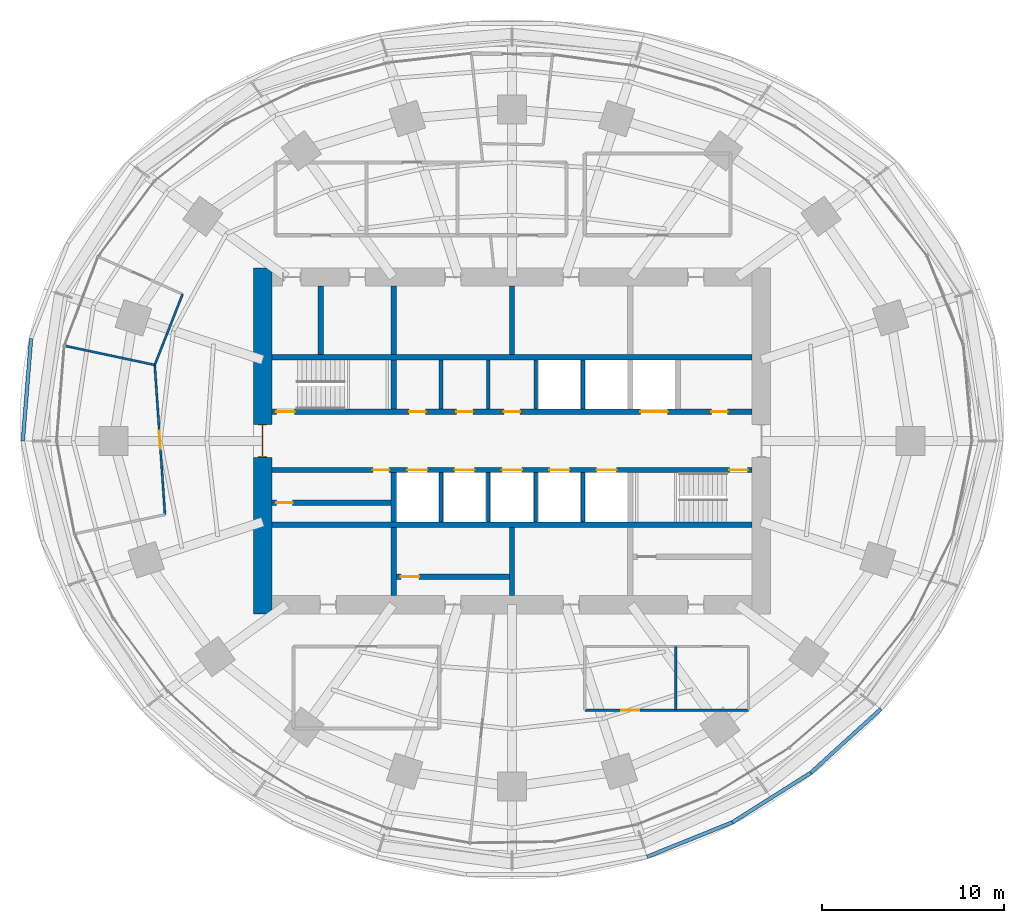
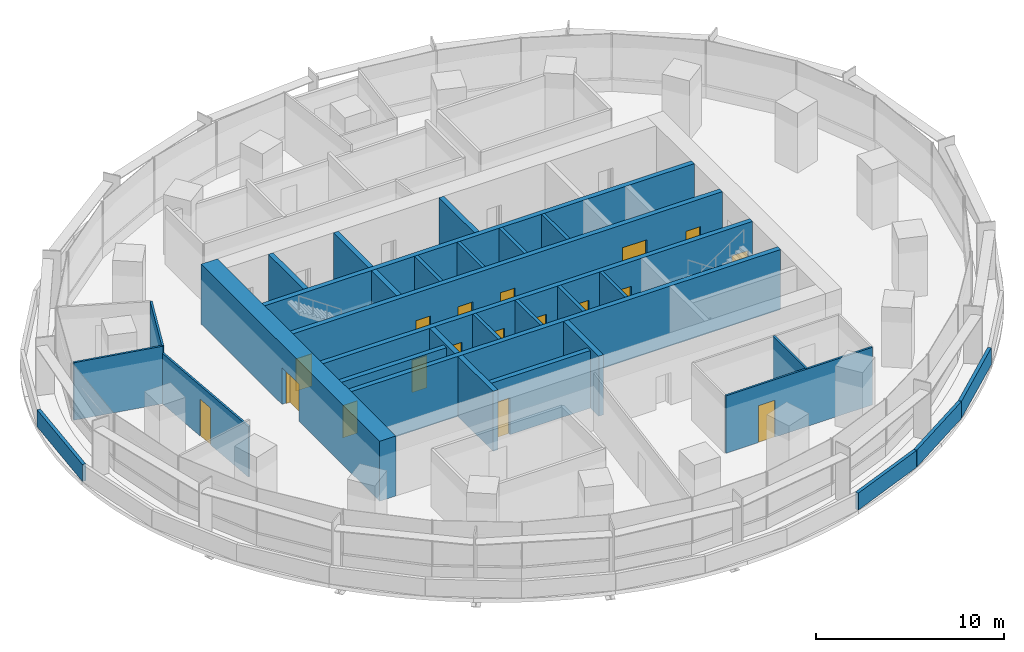
# One storey, part 11 of 15: 31 walls, 18 doors, 18 openings.
"""IFC4 building model written with IfcOpenShell, lengths in metres."""

from ifc_helpers import new_model, si_unit, direction, frame, frame_2d, origin, place, context, subcontext, project, spatial, rectangle, extrude, material, layer, layer_set, type_object, element, fill, save


model = new_model("IFC4")

# Units and contexts
model_context = context("Model", 3, precision=1e-05, world=origin(), true_north=direction((0.0, 1.0)))
body_context = subcontext(model_context, "Body", "Model", "MODEL_VIEW")
ifc_project = project(units=[si_unit("LENGTHUNIT", "METRE"), si_unit("AREAUNIT", "SQUARE_METRE"), si_unit("VOLUMEUNIT", "CUBIC_METRE"), si_unit("PLANEANGLEUNIT", "RADIAN"), si_unit("MASSUNIT", "GRAM", prefix="KILO")], contexts=[model_context])

# Site, building, storey
site_placement = place(None, origin())
site = spatial("IfcSite", under=ifc_project, at=site_placement, CompositionType="ELEMENT")
building_placement = place(site_placement, origin())
building = spatial("IfcBuilding", under=site, at=building_placement, Name="Marramba Exchange Tower", CompositionType="ELEMENT")
storey_placement = place(building_placement, frame((0.0, 0.0, 92.39990234375)))
storey = spatial("IfcBuildingStorey", under=building, at=storey_placement, Name="L21", CompositionType="ELEMENT", Elevation=92.39990234375)

# Walls
ifc_material_1 = material(Name="Concrete N50", Category="concrete")
ifc_layer_1 = layer(ifc_material_1, 0.199951171875)
ifc_layer_set_1 = layer_set([ifc_layer_1], Name="Core shaft wall 200")
wall_type_1 = type_object("IfcWallType", Name="Core shaft wall 200", PredefinedType="SHEAR", material=ifc_layer_set_1)
for number, where, z_axis, x_axis, name in (
    (1, (-3.89990234375, 1.75, 0.0), (0.0, 0.0, 1.0), (0.0, 1.0, 0.0), "Core wall SHN1 L21"),
    (2, (-1.300048828125, 1.75, 0.0), (0.0, 0.0, 1.0), (0.0, 1.0, 0.0), "Core wall SHN2 L21"),
    (3, (1.300048828125, 1.75, 0.0), (0.0, 0.0, 1.0), (0.0, 1.0, 0.0), "Core wall SHN3 L21"),
    (4, (3.89990234375, 1.75, 0.0), (0.0, 0.0, 1.0), (0.0, 1.0, 0.0), "Core wall SHN4 L21"),
    (5, (-3.89990234375, -1.75, 0.0), (0.0, 0.0, 1.0), (0.0, -1.0, 0.0), "Core wall SHS1 L21"),
    (6, (-1.300048828125, -1.75, 0.0), (0.0, 0.0, 1.0), (0.0, -1.0, 0.0), "Core wall SHS2 L21"),
    (7, (1.300048828125, -1.75, 0.0), (0.0, 0.0, 1.0), (0.0, -1.0, 0.0), "Core wall SHS3 L21"),
    (8, (3.89990234375, -1.75, 0.0), (0.0, 0.0, 1.0), (0.0, -1.0, 0.0), "Core wall SHS4 L21"),
):
    element("IfcWall", number, at=place(storey_placement, frame(where, z_axis=z_axis, x_axis=x_axis)), inside=storey, type_object=wall_type_1, Name=name, PredefinedType="SHEAR", context=body_context, shape_type="SweptSolid", body=[
        extrude(rectangle(XDim=2.699951171875, YDim=0.199951171875, at=frame_2d((1.35009765625, 0.0))), origin(), (0.0, 0.0, 1.0), 3.900146484375),
    ])

# Wall, opening, door
ifc_layer_2 = layer(ifc_material_1, 1.0)
ifc_layer_set_2 = layer_set([ifc_layer_2], Name="Core wall 1000")
wall_type_2 = type_object("IfcWallType", Name="Core wall 1000", PredefinedType="SHEAR", material=ifc_layer_set_2)
wall_1_placement = place(storey_placement, frame((-13.699951171875, 9.5, 0.0), z_axis=(0.0, 0.0, 1.0), x_axis=(0.0, -1.0, 0.0)))
wall_1 = element("IfcWall", 9, at=wall_1_placement, inside=storey, type_object=wall_type_2, Name="Core wall W L21", PredefinedType="SHEAR", context=body_context, shape_type="SweptSolid", body=[
    extrude(rectangle(XDim=19.0, YDim=1.0, at=frame_2d((9.5, 0.0))), origin(), (0.0, 0.0, 1.0), 3.900146484375),
])
opening_1_placement = place(wall_1_placement, frame((8.60009765625, 0.0, 0.0)))
opening_1 = element("IfcOpeningElement", 10, at=opening_1_placement, cuts=wall_1, Name="Opening D1", PredefinedType="OPENING", context=body_context, shape_type="SweptSolid", body=[
    extrude(rectangle(XDim=1.800048828125, YDim=2.39990234375, at=frame_2d((0.89990234375, 1.199951171875))), frame((0.0, 0.510009765625, 0.0), z_axis=(0.0, -1.0, 0.0), x_axis=(1.0, 0.0, 0.0)), (0.0, 0.0, 1.0), 1.02001953125),
])
ifc_material_2 = material(Name="Steel-framed door", Category="steel")
door_type_1 = type_object("IfcDoorType", Name="Lobby exit door 1800x2400", OperationType="DOUBLE_DOOR_SINGLE_SWING", PredefinedType="DOOR", material=ifc_material_2)
door_1_placement = place(opening_1_placement, origin())
door_1 = element("IfcDoor", 11, at=door_1_placement, inside=storey, type_object=door_type_1, Name="D1 lobby exit west L21", OperationType="DOUBLE_DOOR_SINGLE_SWING", OverallHeight=2.39990234375, OverallWidth=1.800048828125, PredefinedType="DOOR", context=body_context, shape_type="SweptSolid", body=[
    extrude(rectangle(XDim=1.719970703125, YDim=2.35986328125, at=frame_2d((0.89990234375, 1.179931640625))), frame((0.0, 0.02490234375, 0.0), z_axis=(0.0, -1.0, 0.0), x_axis=(1.0, 0.0, 0.0)), (0.0, 0.0, 1.0), 0.050048828125),
    extrude(rectangle(XDim=0.04, YDim=2.39990234375, at=frame_2d((0.02001953125, 1.199951171875))), frame((0.0, 0.25, 0.0), z_axis=(0.0, -1.0, 0.0), x_axis=(1.0, 0.0, 0.0)), (0.0, 0.0, 1.0), 0.5),
    extrude(rectangle(XDim=0.04, YDim=2.39990234375, at=frame_2d((1.780029296875, 1.199951171875))), frame((0.0, 0.25, 0.0), z_axis=(0.0, -1.0, 0.0), x_axis=(1.0, 0.0, 0.0)), (0.0, 0.0, 1.0), 0.5),
    extrude(rectangle(XDim=1.719970703125, YDim=0.04, at=frame_2d((0.89990234375, 2.3798828125))), frame((0.0, 0.25, 0.0), z_axis=(0.0, -1.0, 0.0), x_axis=(1.0, 0.0, 0.0)), (0.0, 0.0, 1.0), 0.5),
])
fill(opening_1, door_1)

# Wall, openings, doors
ifc_layer_3 = layer(ifc_material_1, 0.300048828125)
ifc_layer_set_3 = layer_set([ifc_layer_3], Name="Core wall 300")
wall_type_3 = type_object("IfcWallType", Name="Core wall 300", PredefinedType="SHEAR", material=ifc_layer_set_3)
wall_2_placement = place(storey_placement, frame((-13.199951171875, 1.60009765625, 0.0), z_axis=(0.0, 0.0, 1.0), x_axis=(1.0, 0.0, 0.0)))
wall_2 = element("IfcWall", 12, at=wall_2_placement, inside=storey, type_object=wall_type_3, Name="Core wall LN L21", PredefinedType="SHEAR", context=body_context, shape_type="SweptSolid", body=[
    extrude(rectangle(XDim=26.39990234375, YDim=0.300048828125, at=frame_2d((13.199951171875, 0.0))), origin(), (0.0, 0.0, 1.0), 3.900146484375),
])
opening_2_placement = place(wall_2_placement, frame((0.25, 0.0, 0.0)))
opening_2 = element("IfcOpeningElement", 13, at=opening_2_placement, cuts=wall_2, Name="Opening D2", PredefinedType="OPENING", context=body_context, shape_type="SweptSolid", body=[
    extrude(rectangle(XDim=1.0, YDim=2.10009765625, at=frame_2d((0.5, 1.050048828125))), frame((0.0, 0.159912109375, 0.0), z_axis=(0.0, -1.0, 0.0), x_axis=(1.0, 0.0, 0.0)), (0.0, 0.0, 1.0), 0.320068359375),
])
opening_3_placement = place(wall_2_placement, frame((20.25, 0.0, 0.0)))
opening_3 = element("IfcOpeningElement", 14, at=opening_3_placement, cuts=wall_2, Name="Opening LD3", PredefinedType="OPENING", context=body_context, shape_type="SweptSolid", body=[
    extrude(rectangle(XDim=1.5, YDim=2.39990234375, at=frame_2d((0.75, 1.199951171875))), frame((0.0, 0.159912109375, 0.0), z_axis=(0.0, -1.0, 0.0), x_axis=(1.0, 0.0, 0.0)), (0.0, 0.0, 1.0), 0.320068359375),
])
opening_4_placement = place(wall_2_placement, frame((7.550048828125, 0.0, 0.0)))
opening_4 = element("IfcOpeningElement", 15, at=opening_4_placement, cuts=wall_2, Name="Opening D5", PredefinedType="OPENING", context=body_context, shape_type="SweptSolid", body=[
    extrude(rectangle(XDim=0.89990234375, YDim=2.10009765625, at=frame_2d((0.449951171875, 1.050048828125))), frame((0.0, 0.159912109375, 0.0), z_axis=(0.0, -1.0, 0.0), x_axis=(1.0, 0.0, 0.0)), (0.0, 0.0, 1.0), 0.320068359375),
])
opening_5_placement = place(wall_2_placement, frame((10.14990234375, 0.0, 0.0)))
opening_5 = element("IfcOpeningElement", 16, at=opening_5_placement, cuts=wall_2, Name="Opening D5", PredefinedType="OPENING", context=body_context, shape_type="SweptSolid", body=[
    extrude(rectangle(XDim=0.89990234375, YDim=2.10009765625, at=frame_2d((0.449951171875, 1.050048828125))), frame((0.0, 0.159912109375, 0.0), z_axis=(0.0, -1.0, 0.0), x_axis=(1.0, 0.0, 0.0)), (0.0, 0.0, 1.0), 0.320068359375),
])
opening_6_placement = place(wall_2_placement, frame((12.75, 0.0, 0.0)))
opening_6 = element("IfcOpeningElement", 17, at=opening_6_placement, cuts=wall_2, Name="Opening D5", PredefinedType="OPENING", context=body_context, shape_type="SweptSolid", body=[
    extrude(rectangle(XDim=0.89990234375, YDim=2.10009765625, at=frame_2d((0.449951171875, 1.050048828125))), frame((0.0, 0.159912109375, 0.0), z_axis=(0.0, -1.0, 0.0), x_axis=(1.0, 0.0, 0.0)), (0.0, 0.0, 1.0), 0.320068359375),
])
opening_7_placement = place(wall_2_placement, frame((24.14990234375, 0.0, 0.0)))
opening_7 = element("IfcOpeningElement", 18, at=opening_7_placement, cuts=wall_2, Name="Opening D5", PredefinedType="OPENING", context=body_context, shape_type="SweptSolid", body=[
    extrude(rectangle(XDim=0.89990234375, YDim=2.10009765625, at=frame_2d((0.449951171875, 1.050048828125))), frame((0.0, 0.159912109375, 0.0), z_axis=(0.0, -1.0, 0.0), x_axis=(1.0, 0.0, 0.0)), (0.0, 0.0, 1.0), 0.320068359375),
])
door_type_2 = type_object("IfcDoorType", Name="Goods lift landing door 1500x2400", OperationType="SLIDING_TO_LEFT", PredefinedType="DOOR", material=ifc_material_2)
door_2_placement = place(opening_3_placement, origin())
door_2 = element("IfcDoor", 19, at=door_2_placement, inside=storey, type_object=door_type_2, Name="GL1 landing door L21", OperationType="SLIDING_TO_LEFT", OverallHeight=2.39990234375, OverallWidth=1.5, PredefinedType="DOOR", context=body_context, shape_type="SweptSolid", body=[
    extrude(rectangle(XDim=1.5, YDim=2.39990234375, at=frame_2d((0.75, 1.199951171875))), frame((0.0, 0.02490234375, 0.0), z_axis=(0.0, -1.0, 0.0), x_axis=(1.0, 0.0, 0.0)), (0.0, 0.0, 1.0), 0.050048828125),
])
fill(opening_3, door_2)
door_type_3 = type_object("IfcDoorType", Name="Service door 900x2100", OperationType="SINGLE_SWING_LEFT", PredefinedType="DOOR", material=ifc_material_2)
door_3_placement = place(opening_4_placement, origin())
door_3 = element("IfcDoor", 20, at=door_3_placement, inside=storey, type_object=door_type_3, Name="D5 switch room L21", OperationType="SINGLE_SWING_RIGHT", OverallHeight=2.10009765625, OverallWidth=0.89990234375, PredefinedType="DOOR", context=body_context, shape_type="SweptSolid", body=[
    extrude(rectangle(XDim=0.89990234375, YDim=2.10009765625, at=frame_2d((0.449951171875, 1.050048828125))), frame((0.0, 0.02490234375, 0.0), z_axis=(0.0, -1.0, 0.0), x_axis=(1.0, 0.0, 0.0)), (0.0, 0.0, 1.0), 0.050048828125),
])
fill(opening_4, door_3)
door_4_placement = place(opening_5_placement, origin())
door_4 = element("IfcDoor", 21, at=door_4_placement, inside=storey, type_object=door_type_3, Name="D5 cleaner store L21", OperationType="SINGLE_SWING_RIGHT", OverallHeight=2.10009765625, OverallWidth=0.89990234375, PredefinedType="DOOR", context=body_context, shape_type="SweptSolid", body=[
    extrude(rectangle(XDim=0.89990234375, YDim=2.10009765625, at=frame_2d((0.449951171875, 1.050048828125))), frame((0.0, 0.02490234375, 0.0), z_axis=(0.0, -1.0, 0.0), x_axis=(1.0, 0.0, 0.0)), (0.0, 0.0, 1.0), 0.050048828125),
])
fill(opening_5, door_4)
door_5_placement = place(opening_6_placement, origin())
door_5 = element("IfcDoor", 22, at=door_5_placement, inside=storey, type_object=door_type_3, Name="D5 general store L21", OperationType="SINGLE_SWING_RIGHT", OverallHeight=2.10009765625, OverallWidth=0.89990234375, PredefinedType="DOOR", context=body_context, shape_type="SweptSolid", body=[
    extrude(rectangle(XDim=0.89990234375, YDim=2.10009765625, at=frame_2d((0.449951171875, 1.050048828125))), frame((0.0, 0.02490234375, 0.0), z_axis=(0.0, -1.0, 0.0), x_axis=(1.0, 0.0, 0.0)), (0.0, 0.0, 1.0), 0.050048828125),
])
fill(opening_6, door_5)
door_6_placement = place(opening_7_placement, origin())
door_6 = element("IfcDoor", 23, at=door_6_placement, inside=storey, type_object=door_type_3, Name="D5 riser L21", OperationType="SINGLE_SWING_RIGHT", OverallHeight=2.10009765625, OverallWidth=0.89990234375, PredefinedType="DOOR", context=body_context, shape_type="SweptSolid", body=[
    extrude(rectangle(XDim=0.89990234375, YDim=2.10009765625, at=frame_2d((0.449951171875, 1.050048828125))), frame((0.0, 0.02490234375, 0.0), z_axis=(0.0, -1.0, 0.0), x_axis=(1.0, 0.0, 0.0)), (0.0, 0.0, 1.0), 0.050048828125),
])
fill(opening_7, door_6)
door_type_4 = type_object("IfcDoorType", Name="Stair door 1000x2100", OperationType="SINGLE_SWING_LEFT", PredefinedType="DOOR", material=ifc_material_2)
door_7_placement = place(opening_2_placement, origin())
door_7 = element("IfcDoor", 24, at=door_7_placement, inside=storey, type_object=door_type_4, Name="D2 stair ST1 L21", OperationType="SINGLE_SWING_LEFT", OverallHeight=2.10009765625, OverallWidth=1.0, PredefinedType="DOOR", context=body_context, shape_type="SweptSolid", body=[
    extrude(rectangle(XDim=1.0, YDim=2.10009765625, at=frame_2d((0.5, 1.050048828125))), frame((0.0, 0.02490234375, 0.0), z_axis=(0.0, -1.0, 0.0), x_axis=(1.0, 0.0, 0.0)), (0.0, 0.0, 1.0), 0.050048828125),
])
fill(opening_2, door_7)

wall_3_placement = place(storey_placement, frame((-13.199951171875, -1.60009765625, 0.0), z_axis=(0.0, 0.0, 1.0), x_axis=(1.0, 0.0, 0.0)))
wall_3 = element("IfcWall", 25, at=wall_3_placement, inside=storey, type_object=wall_type_3, Name="Core wall LS L21", PredefinedType="SHEAR", context=body_context, shape_type="SweptSolid", body=[
    extrude(rectangle(XDim=26.39990234375, YDim=0.300048828125, at=frame_2d((13.199951171875, 0.0))), origin(), (0.0, 0.0, 1.0), 3.900146484375),
])
opening_8_placement = place(wall_3_placement, frame((25.14990234375, 0.0, 0.0)))
opening_8 = element("IfcOpeningElement", 26, at=opening_8_placement, cuts=wall_3, Name="Opening D2", PredefinedType="OPENING", context=body_context, shape_type="SweptSolid", body=[
    extrude(rectangle(XDim=1.0, YDim=2.10009765625, at=frame_2d((0.5, 1.050048828125))), frame((0.0, 0.159912109375, 0.0), z_axis=(0.0, -1.0, 0.0), x_axis=(1.0, 0.0, 0.0)), (0.0, 0.0, 1.0), 0.320068359375),
])
opening_9_placement = place(wall_3_placement, frame((7.449951171875, 0.0, 0.0)))
opening_9 = element("IfcOpeningElement", 27, at=opening_9_placement, cuts=wall_3, Name="Opening LD1", PredefinedType="OPENING", context=body_context, shape_type="SweptSolid", body=[
    extrude(rectangle(XDim=1.10009765625, YDim=2.300048828125, at=frame_2d((0.550048828125, 1.14990234375))), frame((0.0, 0.159912109375, 0.0), z_axis=(0.0, -1.0, 0.0), x_axis=(1.0, 0.0, 0.0)), (0.0, 0.0, 1.0), 0.320068359375),
])
opening_10_placement = place(wall_3_placement, frame((10.050048828125, 0.0, 0.0)))
opening_10 = element("IfcOpeningElement", 28, at=opening_10_placement, cuts=wall_3, Name="Opening LD1", PredefinedType="OPENING", context=body_context, shape_type="SweptSolid", body=[
    extrude(rectangle(XDim=1.10009765625, YDim=2.300048828125, at=frame_2d((0.550048828125, 1.14990234375))), frame((0.0, 0.159912109375, 0.0), z_axis=(0.0, -1.0, 0.0), x_axis=(1.0, 0.0, 0.0)), (0.0, 0.0, 1.0), 0.320068359375),
])
opening_11_placement = place(wall_3_placement, frame((12.64990234375, 0.0, 0.0)))
opening_11 = element("IfcOpeningElement", 29, at=opening_11_placement, cuts=wall_3, Name="Opening LD1", PredefinedType="OPENING", context=body_context, shape_type="SweptSolid", body=[
    extrude(rectangle(XDim=1.10009765625, YDim=2.300048828125, at=frame_2d((0.550048828125, 1.14990234375))), frame((0.0, 0.159912109375, 0.0), z_axis=(0.0, -1.0, 0.0), x_axis=(1.0, 0.0, 0.0)), (0.0, 0.0, 1.0), 0.320068359375),
])
opening_12_placement = place(wall_3_placement, frame((15.25, 0.0, 0.0)))
opening_12 = element("IfcOpeningElement", 30, at=opening_12_placement, cuts=wall_3, Name="Opening LD2", PredefinedType="OPENING", context=body_context, shape_type="SweptSolid", body=[
    extrude(rectangle(XDim=1.10009765625, YDim=2.300048828125, at=frame_2d((0.550048828125, 1.14990234375))), frame((0.0, 0.159912109375, 0.0), z_axis=(0.0, -1.0, 0.0), x_axis=(1.0, 0.0, 0.0)), (0.0, 0.0, 1.0), 0.320068359375),
])
opening_13_placement = place(wall_3_placement, frame((17.85009765625, 0.0, 0.0)))
opening_13 = element("IfcOpeningElement", 31, at=opening_13_placement, cuts=wall_3, Name="Opening LD2", PredefinedType="OPENING", context=body_context, shape_type="SweptSolid", body=[
    extrude(rectangle(XDim=1.10009765625, YDim=2.300048828125, at=frame_2d((0.550048828125, 1.14990234375))), frame((0.0, 0.159912109375, 0.0), z_axis=(0.0, -1.0, 0.0), x_axis=(1.0, 0.0, 0.0)), (0.0, 0.0, 1.0), 0.320068359375),
])
opening_14_placement = place(wall_3_placement, frame((5.550048828125, 0.0, 0.0)))
opening_14 = element("IfcOpeningElement", 32, at=opening_14_placement, cuts=wall_3, Name="Opening D5", PredefinedType="OPENING", context=body_context, shape_type="SweptSolid", body=[
    extrude(rectangle(XDim=0.89990234375, YDim=2.10009765625, at=frame_2d((0.449951171875, 1.050048828125))), frame((0.0, 0.159912109375, 0.0), z_axis=(0.0, -1.0, 0.0), x_axis=(1.0, 0.0, 0.0)), (0.0, 0.0, 1.0), 0.320068359375),
])
door_type_5 = type_object("IfcDoorType", Name="Emergency lift landing door 1100x2300", OperationType="SLIDING_TO_LEFT", PredefinedType="DOOR", material=ifc_material_2)
door_8_placement = place(opening_12_placement, frame((1.10009765625, 0.0, 0.0), z_axis=(0.0, 0.0, 1.0), x_axis=(-1.0, 0.0, 0.0)))
door_8 = element("IfcDoor", 33, at=door_8_placement, inside=storey, type_object=door_type_5, Name="FL1 landing door L21", OperationType="SLIDING_TO_RIGHT", OverallHeight=2.300048828125, OverallWidth=1.10009765625, PredefinedType="DOOR", context=body_context, shape_type="SweptSolid", body=[
    extrude(rectangle(XDim=1.10009765625, YDim=2.300048828125, at=frame_2d((0.550048828125, 1.14990234375))), frame((0.0, 0.025146484375, 0.0), z_axis=(0.0, -1.0, 0.0), x_axis=(1.0, 0.0, 0.0)), (0.0, 0.0, 1.0), 0.050048828125),
])
fill(opening_12, door_8)
door_9_placement = place(opening_13_placement, frame((1.10009765625, 0.0, 0.0), z_axis=(0.0, 0.0, 1.0), x_axis=(-1.0, 0.0, 0.0)))
door_9 = element("IfcDoor", 34, at=door_9_placement, inside=storey, type_object=door_type_5, Name="FL2 landing door L21", OperationType="SLIDING_TO_LEFT", OverallHeight=2.300048828125, OverallWidth=1.10009765625, PredefinedType="DOOR", context=body_context, shape_type="SweptSolid", body=[
    extrude(rectangle(XDim=1.10009765625, YDim=2.300048828125, at=frame_2d((0.550048828125, 1.14990234375))), frame((0.0, 0.025146484375, 0.0), z_axis=(0.0, -1.0, 0.0), x_axis=(1.0, 0.0, 0.0)), (0.0, 0.0, 1.0), 0.050048828125),
])
fill(opening_13, door_9)
door_type_6 = type_object("IfcDoorType", Name="Lift landing door 1100x2300", OperationType="SLIDING_TO_LEFT", PredefinedType="DOOR", material=ifc_material_2)
door_10_placement = place(opening_9_placement, frame((1.10009765625, 0.0, 0.0), z_axis=(0.0, 0.0, 1.0), x_axis=(-1.0, 0.0, 0.0)))
door_10 = element("IfcDoor", 35, at=door_10_placement, inside=storey, type_object=door_type_6, Name="LB1 landing door L21", OperationType="SLIDING_TO_LEFT", OverallHeight=2.300048828125, OverallWidth=1.10009765625, PredefinedType="DOOR", context=body_context, shape_type="SweptSolid", body=[
    extrude(rectangle(XDim=1.10009765625, YDim=2.300048828125, at=frame_2d((0.550048828125, 1.14990234375))), frame((0.0, 0.025146484375, 0.0), z_axis=(0.0, -1.0, 0.0), x_axis=(1.0, 0.0, 0.0)), (0.0, 0.0, 1.0), 0.050048828125),
])
fill(opening_9, door_10)
door_11_placement = place(opening_10_placement, frame((1.10009765625, 0.0, 0.0), z_axis=(0.0, 0.0, 1.0), x_axis=(-1.0, 0.0, 0.0)))
door_11 = element("IfcDoor", 36, at=door_11_placement, inside=storey, type_object=door_type_6, Name="LB2 landing door L21", OperationType="SLIDING_TO_RIGHT", OverallHeight=2.300048828125, OverallWidth=1.10009765625, PredefinedType="DOOR", context=body_context, shape_type="SweptSolid", body=[
    extrude(rectangle(XDim=1.10009765625, YDim=2.300048828125, at=frame_2d((0.550048828125, 1.14990234375))), frame((0.0, 0.025146484375, 0.0), z_axis=(0.0, -1.0, 0.0), x_axis=(1.0, 0.0, 0.0)), (0.0, 0.0, 1.0), 0.050048828125),
])
fill(opening_10, door_11)
door_12_placement = place(opening_11_placement, frame((1.10009765625, 0.0, 0.0), z_axis=(0.0, 0.0, 1.0), x_axis=(-1.0, 0.0, 0.0)))
door_12 = element("IfcDoor", 37, at=door_12_placement, inside=storey, type_object=door_type_6, Name="LB3 landing door L21", OperationType="SLIDING_TO_RIGHT", OverallHeight=2.300048828125, OverallWidth=1.10009765625, PredefinedType="DOOR", context=body_context, shape_type="SweptSolid", body=[
    extrude(rectangle(XDim=1.10009765625, YDim=2.300048828125, at=frame_2d((0.550048828125, 1.14990234375))), frame((0.0, 0.025146484375, 0.0), z_axis=(0.0, -1.0, 0.0), x_axis=(1.0, 0.0, 0.0)), (0.0, 0.0, 1.0), 0.050048828125),
])
fill(opening_11, door_12)
door_13_placement = place(opening_14_placement, frame((0.89990234375, 0.0, 0.0), z_axis=(0.0, 0.0, 1.0), x_axis=(-1.0, 0.0, 0.0)))
door_13 = element("IfcDoor", 38, at=door_13_placement, inside=storey, type_object=door_type_3, Name="D5 electrical riser L21", OperationType="SINGLE_SWING_LEFT", OverallHeight=2.10009765625, OverallWidth=0.89990234375, PredefinedType="DOOR", context=body_context, shape_type="SweptSolid", body=[
    extrude(rectangle(XDim=0.89990234375, YDim=2.10009765625, at=frame_2d((0.449951171875, 1.050048828125))), frame((0.0, 0.025146484375, 0.0), z_axis=(0.0, -1.0, 0.0), x_axis=(1.0, 0.0, 0.0)), (0.0, 0.0, 1.0), 0.050048828125),
])
fill(opening_14, door_13)
door_14_placement = place(opening_8_placement, frame((1.0, 0.0, 0.0), z_axis=(0.0, 0.0, 1.0), x_axis=(-1.0, 0.0, 0.0)))
door_14 = element("IfcDoor", 39, at=door_14_placement, inside=storey, type_object=door_type_4, Name="D2 stair ST2 L21", OperationType="SINGLE_SWING_LEFT", OverallHeight=2.10009765625, OverallWidth=1.0, PredefinedType="DOOR", context=body_context, shape_type="SweptSolid", body=[
    extrude(rectangle(XDim=1.0, YDim=2.10009765625, at=frame_2d((0.5, 1.050048828125))), frame((0.0, 0.025146484375, 0.0), z_axis=(0.0, -1.0, 0.0), x_axis=(1.0, 0.0, 0.0)), (0.0, 0.0, 1.0), 0.050048828125),
])
fill(opening_8, door_14)

# Walls
for number, where, z_axis, x_axis, name in (
    (40, (-13.199951171875, 4.60009765625, 0.0), (0.0, 0.0, 1.0), (1.0, 0.0, 0.0), "Core wall BN L21"),
    (41, (-13.199951171875, -4.60009765625, 0.0), (0.0, 0.0, 1.0), (1.0, 0.0, 0.0), "Core wall BS L21"),
):
    element("IfcWall", number, at=place(storey_placement, frame(where, z_axis=z_axis, x_axis=x_axis)), inside=storey, type_object=wall_type_3, Name=name, PredefinedType="SHEAR", context=body_context, shape_type="SweptSolid", body=[
        extrude(rectangle(XDim=26.39990234375, YDim=0.300048828125, at=frame_2d((13.199951171875, 0.0))), origin(), (0.0, 0.0, 1.0), 3.900146484375),
    ])
wall_4_placement = place(storey_placement, frame((-6.5, 1.75, 0.0), z_axis=(0.0, 0.0, 1.0), x_axis=(0.0, 1.0, 0.0)))
element("IfcWall", 42, at=wall_4_placement, inside=storey, type_object=wall_type_3, Name="Core wall X0Na L21", PredefinedType="SHEAR", context=body_context, shape_type="SweptSolid", body=[
    extrude(rectangle(XDim=2.699951171875, YDim=0.300048828125, at=frame_2d((1.35009765625, 0.0))), origin(), (0.0, 0.0, 1.0), 3.900146484375),
])
for number, where, z_axis, x_axis, name in (
    (43, (-6.5, 4.75, 0.0), (0.0, 0.0, 1.0), (0.0, 1.0, 0.0), "Core wall X0Nb L21"),
    (44, (0.0, 4.75, 0.0), (0.0, 0.0, 1.0), (0.0, 1.0, 0.0), "Core wall MN L21"),
):
    element("IfcWall", number, at=place(storey_placement, frame(where, z_axis=z_axis, x_axis=x_axis)), inside=storey, type_object=wall_type_3, Name=name, PredefinedType="SHEAR", context=body_context, shape_type="SweptSolid", body=[
        extrude(rectangle(XDim=3.75, YDim=0.300048828125, at=frame_2d((1.875, 0.0))), origin(), (0.0, 0.0, 1.0), 3.900146484375),
    ])
wall_5_placement = place(storey_placement, frame((-6.5, -1.75, 0.0), z_axis=(0.0, 0.0, 1.0), x_axis=(0.0, -1.0, 0.0)))
element("IfcWall", 45, at=wall_5_placement, inside=storey, type_object=wall_type_3, Name="Core wall X0Sa L21", PredefinedType="SHEAR", context=body_context, shape_type="SweptSolid", body=[
    extrude(rectangle(XDim=2.699951171875, YDim=0.300048828125, at=frame_2d((1.35009765625, 0.0))), origin(), (0.0, 0.0, 1.0), 3.900146484375),
])
for number, where, z_axis, x_axis, name in (
    (46, (-6.5, -4.75, 0.0), (0.0, 0.0, 1.0), (0.0, -1.0, 0.0), "Core wall X0Sb L21"),
    (47, (0.0, -4.75, 0.0), (0.0, 0.0, 1.0), (0.0, -1.0, 0.0), "Core wall MS L21"),
    (48, (-10.5, 4.75, 0.0), (0.0, 0.0, 1.0), (0.0, 1.0, 0.0), "Core wall WD L21"),
):
    element("IfcWall", number, at=place(storey_placement, frame(where, z_axis=z_axis, x_axis=x_axis)), inside=storey, type_object=wall_type_3, Name=name, PredefinedType="SHEAR", context=body_context, shape_type="SweptSolid", body=[
        extrude(rectangle(XDim=3.75, YDim=0.300048828125, at=frame_2d((1.875, 0.0))), origin(), (0.0, 0.0, 1.0), 3.900146484375),
    ])

# Wall, opening, door
ifc_material_3 = material(Name="Plasterboard on steel studs", Category="steel")
ifc_layer_4 = layer(ifc_material_3, 0.1201171875)
ifc_layer_set_4 = layer_set([ifc_layer_4], Name="Partition 120")
wall_type_4 = type_object("IfcWallType", Name="Partition 120", PredefinedType="PARTITIONING", material=ifc_layer_set_4)
wall_6_placement = place(storey_placement, frame((13.0, -14.800048828125, 0.0), z_axis=(0.0, 0.0, 1.0), x_axis=(-1.0, 0.0, 0.0)))
wall_6 = element("IfcWall", 49, at=wall_6_placement, inside=storey, type_object=wall_type_4, Name="Partition L21 08", PredefinedType="PARTITIONING", context=body_context, shape_type="SweptSolid", body=[
    extrude(rectangle(XDim=9.0, YDim=0.1201171875, at=frame_2d((4.5, 0.0))), origin(), (0.0, 0.0, 1.0), 3.739990234375),
])
opening_15_placement = place(wall_6_placement, frame((6.0, 0.0, 0.0)))
opening_15 = element("IfcOpeningElement", 50, at=opening_15_placement, cuts=wall_6, Name="Opening D9", PredefinedType="OPENING", context=body_context, shape_type="SweptSolid", body=[
    extrude(rectangle(XDim=1.0, YDim=2.39990234375, at=frame_2d((0.5, 1.199951171875))), frame((0.0, 0.070068359375, 0.0), z_axis=(0.0, -1.0, 0.0), x_axis=(1.0, 0.0, 0.0)), (0.0, 0.0, 1.0), 0.14013671875),
])
ifc_material_4 = material(Name="Timber door", Category="wood")
door_type_7 = type_object("IfcDoorType", Name="Room door 1000x2400", OperationType="SINGLE_SWING_LEFT", PredefinedType="DOOR", material=ifc_material_4)
door_15_placement = place(opening_15_placement, frame((1.0, 0.0, 0.0), z_axis=(0.0, 0.0, 1.0), x_axis=(-1.0, 0.0, 0.0)))
door_15 = element("IfcDoor", 51, at=door_15_placement, inside=storey, type_object=door_type_7, Name="D9 Pantry L21", OperationType="SINGLE_SWING_RIGHT", OverallHeight=2.39990234375, OverallWidth=1.0, PredefinedType="DOOR", context=body_context, shape_type="SweptSolid", body=[
    extrude(rectangle(XDim=1.0, YDim=2.39990234375, at=frame_2d((0.5, 1.199951171875))), frame((0.0, 0.025146484375, 0.0), z_axis=(0.0, -1.0, 0.0), x_axis=(1.0, 0.0, 0.0)), (0.0, 0.0, 1.0), 0.050048828125),
])
fill(opening_15, door_15)

# Walls
wall_7_placement = place(storey_placement, frame((9.0, -11.300048828125, 0.0), z_axis=(0.0, 0.0, 1.0), x_axis=(0.0, -1.0, 0.0)))
element("IfcWall", 52, at=wall_7_placement, inside=storey, type_object=wall_type_4, Name="Partition L21 09", PredefinedType="PARTITIONING", context=body_context, shape_type="SweptSolid", body=[
    extrude(rectangle(XDim=3.5, YDim=0.1201171875, at=frame_2d((1.75, 0.0))), origin(), (0.0, 0.0, 1.0), 3.739990234375),
])
wall_8_placement = place(storey_placement, frame((-19.632080078125, 4.173095703125, 0.0), z_axis=(0.0, 0.0, 1.0), x_axis=(0.366366585736, 0.930470593225, 0.0)))
element("IfcWall", 53, at=wall_8_placement, inside=storey, type_object=wall_type_4, Name="Partition L21 27", PredefinedType="PARTITIONING", context=body_context, shape_type="SweptSolid", body=[
    extrude(rectangle(XDim=4.177001953125, YDim=0.1201171875, at=frame_2d((2.08837890625, 0.0))), origin(), (0.0, 0.0, 1.0), 3.739990234375),
])
wall_9_placement = place(storey_placement, frame((-24.52294921875, 5.21240234375, 0.0), z_axis=(0.0, 0.0, 1.0), x_axis=(0.978158975012, -0.207858171848, 0.0)))
element("IfcWall", 54, at=wall_9_placement, inside=storey, type_object=wall_type_4, Name="Partition L21 28", PredefinedType="PARTITIONING", context=body_context, shape_type="SweptSolid", body=[
    extrude(rectangle(XDim=5.0, YDim=0.1201171875, at=frame_2d((2.5, 0.0))), origin(), (0.0, 0.0, 1.0), 3.739990234375),
])

# Wall, opening, door
wall_10_placement = place(storey_placement, frame((-19.069580078125, -4.053466796875, 0.0), z_axis=(0.0, 0.0, 1.0), x_axis=(-0.068216787808, 0.997670521696, 0.0)))
wall_10 = element("IfcWall", 55, at=wall_10_placement, inside=storey, type_object=wall_type_4, Name="Partition L21 29", PredefinedType="PARTITIONING", context=body_context, shape_type="SweptSolid", body=[
    extrude(rectangle(XDim=8.245849609375, YDim=0.1201171875, at=frame_2d((4.123046875, 0.0))), origin(), (0.0, 0.0, 1.0), 3.2861328125),
])
opening_16_placement = place(wall_10_placement, frame((3.623046875, 0.0, 0.0)))
opening_16 = element("IfcOpeningElement", 56, at=opening_16_placement, cuts=wall_10, Name="Opening D9", PredefinedType="OPENING", context=body_context, shape_type="SweptSolid", body=[
    extrude(rectangle(XDim=1.0, YDim=2.39990234375, at=frame_2d((0.5, 1.199951171875))), frame((0.0, 0.070068359375, 0.0), z_axis=(0.0, -1.0, 0.0), x_axis=(1.0, 0.0, 0.0)), (0.0, 0.0, 1.0), 0.14013671875),
])
door_16_placement = place(opening_16_placement, origin())
door_16 = element("IfcDoor", 57, at=door_16_placement, inside=storey, type_object=door_type_7, Name="D9 Listings Office 1 L21", OperationType="SINGLE_SWING_LEFT", OverallHeight=2.39990234375, OverallWidth=1.0, PredefinedType="DOOR", context=body_context, shape_type="SweptSolid", body=[
    extrude(rectangle(XDim=1.0, YDim=2.39990234375, at=frame_2d((0.5, 1.199951171875))), frame((0.0, 0.02490234375, 0.0), z_axis=(0.0, -1.0, 0.0), x_axis=(1.0, 0.0, 0.0)), (0.0, 0.0, 1.0), 0.050048828125),
])
fill(opening_16, door_16)

ifc_material_5 = material(Name="Core-filled concrete blockwork", Category="masonry")
ifc_layer_5 = layer(ifc_material_5, 0.300048828125)
ifc_layer_set_5 = layer_set([ifc_layer_5], Name="Riser enclosure wall 300")
wall_type_5 = type_object("IfcWallType", Name="Riser enclosure wall 300", PredefinedType="SOLIDWALL", material=ifc_layer_set_5)
wall_11_placement = place(storey_placement, frame((-13.199951171875, -3.39990234375, 0.0), z_axis=(0.0, 0.0, 1.0), x_axis=(1.0, 0.0, 0.0)))
wall_11 = element("IfcWall", 58, at=wall_11_placement, inside=storey, type_object=wall_type_5, Name="Riser enclosure wall L21", PredefinedType="SOLIDWALL", context=body_context, shape_type="SweptSolid", body=[
    extrude(rectangle(XDim=6.550048828125, YDim=0.300048828125, at=frame_2d((3.27490234375, 0.0))), origin(), (0.0, 0.0, 1.0), 3.739990234375),
])
opening_17_placement = place(wall_11_placement, frame((0.25, 0.0, 0.0)))
opening_17 = element("IfcOpeningElement", 59, at=opening_17_placement, cuts=wall_11, Name="Opening D5", PredefinedType="OPENING", context=body_context, shape_type="SweptSolid", body=[
    extrude(rectangle(XDim=0.89990234375, YDim=2.10009765625, at=frame_2d((0.449951171875, 1.050048828125))), frame((0.0, 0.159912109375, 0.0), z_axis=(0.0, -1.0, 0.0), x_axis=(1.0, 0.0, 0.0)), (0.0, 0.0, 1.0), 0.320068359375),
])
door_17_placement = place(opening_17_placement, frame((0.89990234375, 0.0, 0.0), z_axis=(0.0, 0.0, 1.0), x_axis=(-1.0, 0.0, 0.0)))
door_17 = element("IfcDoor", 60, at=door_17_placement, inside=storey, type_object=door_type_3, Name="D5 electrical riser back L21", OperationType="SINGLE_SWING_RIGHT", OverallHeight=2.10009765625, OverallWidth=0.89990234375, PredefinedType="DOOR", context=body_context, shape_type="SweptSolid", body=[
    extrude(rectangle(XDim=0.89990234375, YDim=2.10009765625, at=frame_2d((0.449951171875, 1.050048828125))), frame((0.0, 0.025146484375, 0.0), z_axis=(0.0, -1.0, 0.0), x_axis=(1.0, 0.0, 0.0)), (0.0, 0.0, 1.0), 0.050048828125),
])
fill(opening_17, door_17)

# Walls
ifc_material_6 = material(Name="Concrete N40", Category="concrete")
ifc_layer_6 = layer(ifc_material_6, 0.199951171875)
ifc_layer_set_6 = layer_set([ifc_layer_6], Name="Roof parapet 200")
wall_type_6 = type_object("IfcWallType", Name="Roof parapet 200", PredefinedType="PARAPET", material=ifc_layer_set_6)
wall_12_placement = place(storey_placement, frame((-26.426513671875, 5.6171875, 0.0), z_axis=(0.0, 0.0, 1.0), x_axis=(-0.08044944748, -0.996758690155, 0.0)))
element("IfcWall", 61, at=wall_12_placement, inside=storey, type_object=wall_type_6, Name="Parapet L21 F15", PredefinedType="PARAPET", context=body_context, shape_type="SweptSolid", body=[
    extrude(rectangle(XDim=5.635498046875, YDim=0.199951171875, at=frame_2d((2.81787109375, 0.0))), origin(), (0.0, 0.0, 1.0), 1.10009765625),
])
wall_13_placement = place(storey_placement, frame((7.426025390625, -22.85498046875, 0.0), z_axis=(0.0, 0.0, 1.0), x_axis=(0.927216633088, 0.374525453507, 0.0)))
element("IfcWall", 62, at=wall_13_placement, inside=storey, type_object=wall_type_6, Name="Parapet L21 F25", PredefinedType="PARAPET", context=body_context, shape_type="SweptSolid", body=[
    extrude(rectangle(XDim=5.04541015625, YDim=0.199951171875, at=frame_2d((2.522705078125, 0.0))), origin(), (0.0, 0.0, 1.0), 1.10009765625),
])
wall_14_placement = place(storey_placement, frame((12.104248046875, -20.96533203125, 0.0), z_axis=(0.0, 0.0, 1.0), x_axis=(0.845442322204, 0.53406673724, 0.0)))
element("IfcWall", 63, at=wall_14_placement, inside=storey, type_object=wall_type_6, Name="Parapet L21 F26", PredefinedType="PARAPET", context=body_context, shape_type="SweptSolid", body=[
    extrude(rectangle(XDim=5.106689453125, YDim=0.199951171875, at=frame_2d((2.55322265625, 0.0))), origin(), (0.0, 0.0, 1.0), 1.10009765625),
])
wall_15_placement = place(storey_placement, frame((16.421630859375, -18.238037109375, 0.0), z_axis=(0.0, 0.0, 1.0), x_axis=(0.738993586069, 0.673712460735, 0.0)))
element("IfcWall", 64, at=wall_15_placement, inside=storey, type_object=wall_type_6, Name="Parapet L21 F27", PredefinedType="PARAPET", context=body_context, shape_type="SweptSolid", body=[
    extrude(rectangle(XDim=5.20947265625, YDim=0.199951171875, at=frame_2d((2.604736328125, 0.0))), origin(), (0.0, 0.0, 1.0), 1.10009765625),
])

# Wall, opening, door
ifc_material_7 = material(Name="Plasterboard on steel studs, insulated, unrated", Category="steel")
ifc_layer_7 = layer(ifc_material_7, 0.300048828125)
ifc_layer_set_7 = layer_set([ifc_layer_7], Name="Store partition 300")
wall_type_7 = type_object("IfcWallType", Name="Store partition 300", PredefinedType="PARTITIONING", material=ifc_layer_set_7)
wall_16_placement = place(storey_placement, frame((-6.35009765625, -7.4599609375, 0.0), z_axis=(0.0, 0.0, 1.0), x_axis=(1.0, 0.0, 0.0)))
wall_16 = element("IfcWall", 65, at=wall_16_placement, inside=storey, type_object=wall_type_7, Name="Store partition L21 store", PredefinedType="PARTITIONING", context=body_context, shape_type="SweptSolid", body=[
    extrude(rectangle(XDim=6.2001953125, YDim=0.300048828125, at=frame_2d((3.10009765625, 0.0))), origin(), (0.0, 0.0, 1.0), 3.739990234375),
])
opening_18_placement = place(wall_16_placement, frame((0.25, 0.0, 0.0)))
opening_18 = element("IfcOpeningElement", 66, at=opening_18_placement, cuts=wall_16, Name="Opening D9", PredefinedType="OPENING", context=body_context, shape_type="SweptSolid", body=[
    extrude(rectangle(XDim=1.0, YDim=2.39990234375, at=frame_2d((0.5, 1.199951171875))), frame((0.0, 0.159912109375, 0.0), z_axis=(0.0, -1.0, 0.0), x_axis=(1.0, 0.0, 0.0)), (0.0, 0.0, 1.0), 0.320068359375),
])
door_18_placement = place(opening_18_placement, frame((1.0, 0.0, 0.0), z_axis=(0.0, 0.0, 1.0), x_axis=(-1.0, 0.0, 0.0)))
door_18 = element("IfcDoor", 67, at=door_18_placement, inside=storey, type_object=door_type_7, Name="D9 stationery store L21", OperationType="SINGLE_SWING_RIGHT", OverallHeight=2.39990234375, OverallWidth=1.0, PredefinedType="DOOR", context=body_context, shape_type="SweptSolid", body=[
    extrude(rectangle(XDim=1.0, YDim=2.39990234375, at=frame_2d((0.5, 1.199951171875))), frame((0.0, 0.025146484375, 0.0), z_axis=(0.0, -1.0, 0.0), x_axis=(1.0, 0.0, 0.0)), (0.0, 0.0, 1.0), 0.050048828125),
])
fill(opening_18, door_18)

save(model, "model.ifc")
